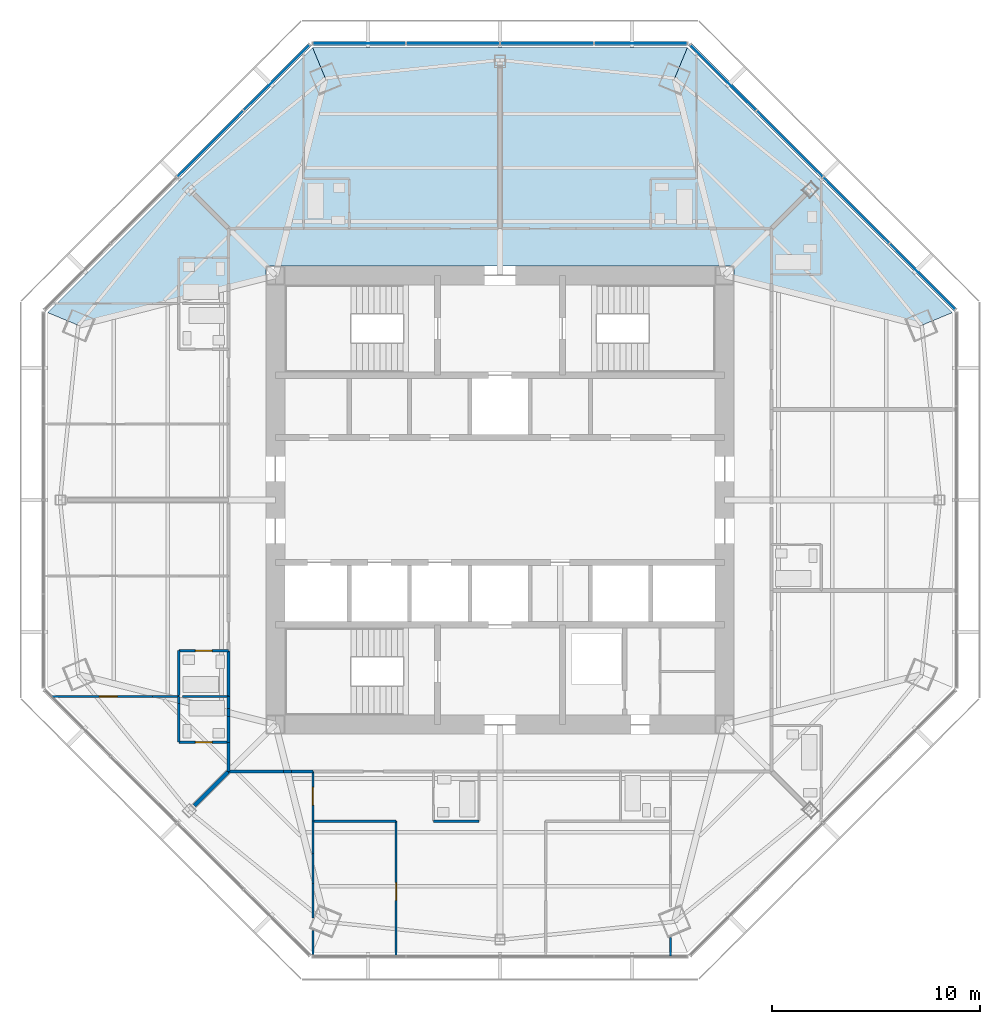
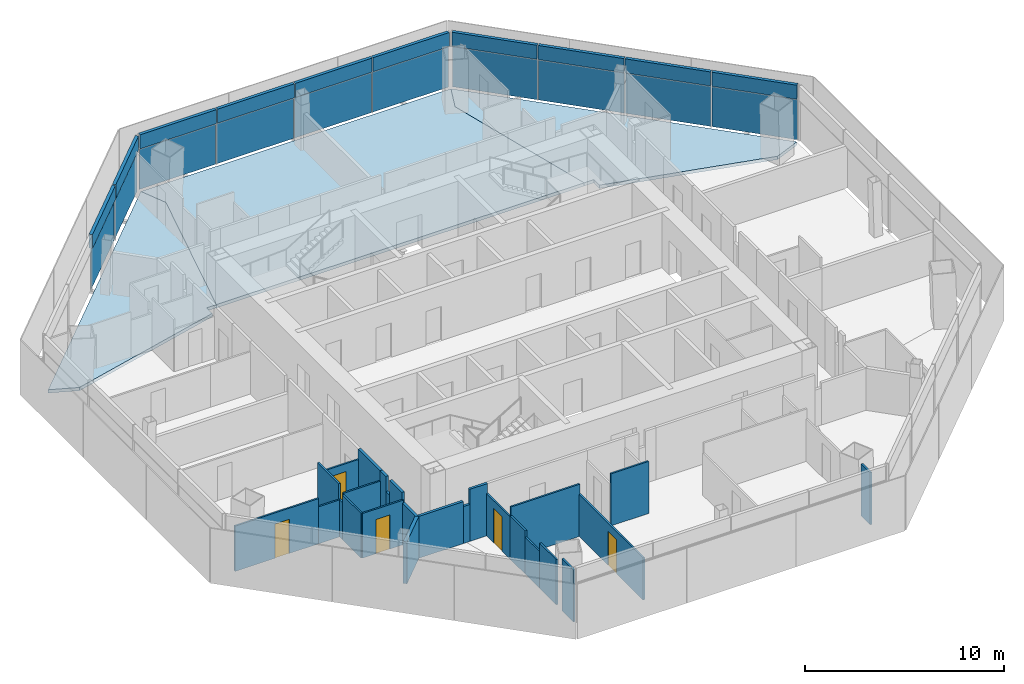
# One storey, part 8 of 15: 26 walls, 20 plates, 5 doors, 3 slabs, 5 openings, 3 elements without a shape of their own.
"""IFC4 building model written with IfcOpenShell, lengths in metres."""

from ifc_helpers import new_model, si_unit, direction, frame, frame_2d, origin, origin_2d, place, context, subcontext, project, spatial, polyline, rectangle, outline, extrude, source, transform, mapped, material, layer, layer_set, type_object, type_shapes, element, fill, aggregate, save


model = new_model("IFC4")

# Units and contexts
model_context = context("Model", 3, precision=1e-05, world=origin(), true_north=direction((0.0, 1.0)))
body_context = subcontext(model_context, "Body", "Model", "MODEL_VIEW")
ifc_project = project(units=[si_unit("LENGTHUNIT", "METRE"), si_unit("AREAUNIT", "SQUARE_METRE"), si_unit("VOLUMEUNIT", "CUBIC_METRE"), si_unit("PLANEANGLEUNIT", "RADIAN"), si_unit("MASSUNIT", "GRAM", prefix="KILO")], contexts=[model_context])

# Site, building, storey
site_placement = place(None, origin())
site = spatial("IfcSite", under=ifc_project, at=site_placement, CompositionType="ELEMENT")
building_placement = place(site_placement, origin())
building = spatial("IfcBuilding", under=site, at=building_placement, Name="Mashrafa Tower", CompositionType="ELEMENT")
storey_placement = place(building_placement, frame((0.0, 0.0, 214.199951171875)))
storey = spatial("IfcBuildingStorey", under=building, at=storey_placement, Name="L49", CompositionType="ELEMENT", Elevation=214.199951171875)

# Slabs
ifc_material_1 = material(Name="Concrete C35/45", Category="concrete")
ifc_layer_1 = layer(ifc_material_1, 0.199951171875)
ifc_layer_set_1 = layer_set([ifc_layer_1], Name="Floor slab 200")
slab_type = type_object("IfcSlabType", Name="Floor slab 200", PredefinedType="FLOOR", material=ifc_layer_set_1)
slab_1_placement = place(storey_placement, frame((0.0, 0.0, -0.199951171875)))
element("IfcSlab", 1, at=slab_1_placement, inside=storey, type_object=slab_type, Name="Floor slab L49 north-east bay", PredefinedType="FLOOR", context=body_context, shape_type="SweptSolid", body=[
    extrude(outline(polyline([(9.01123046875, 21.75537109375), (21.75537109375, 9.01123046875), (21.75537109375, 9.01123046875), (20.28271484375, 8.4013671875), (11.25, 10.686279296875), (11.25, 11.25), (10.686279296875, 11.25), (8.4013671875, 20.28271484375), (9.01123046875, 21.75537109375), (9.01123046875, 21.75537109375)])), origin(), (0.0, 0.0, 1.0), 0.199951171875),
])
slab_2_placement = place(storey_placement, frame((0.0, 0.0, -0.199951171875)))
element("IfcSlab", 2, at=slab_2_placement, inside=storey, type_object=slab_type, Name="Floor slab L49 north bay", PredefinedType="FLOOR", context=body_context, shape_type="SweptSolid", body=[
    extrude(outline(polyline([(9.01123046875, 21.75537109375), (8.4013671875, 20.28271484375), (10.686279296875, 11.25), (-10.686279296875, 11.25), (-8.4013671875, 20.28271484375), (-9.01123046875, 21.75537109375), (9.01123046875, 21.75537109375)])), origin(), (0.0, 0.0, 1.0), 0.199951171875),
])
slab_3_placement = place(storey_placement, frame((0.0, 0.0, -0.199951171875)))
element("IfcSlab", 3, at=slab_3_placement, inside=storey, type_object=slab_type, Name="Floor slab L49 north-west bay", PredefinedType="FLOOR", context=body_context, shape_type="SweptSolid", body=[
    extrude(outline(polyline([(-21.75537109375, 9.01123046875), (-9.01123046875, 21.75537109375), (-9.01123046875, 21.75537109375), (-8.4013671875, 20.28271484375), (-10.686279296875, 11.25), (-11.25, 11.25), (-11.25, 10.686279296875), (-20.28271484375, 8.4013671875), (-21.75537109375, 9.01123046875), (-21.75537109375, 9.01123046875)])), origin(), (0.0, 0.0, 1.0), 0.199951171875),
])

# Curtain wall, plates
ifc_material_2 = material(Name="Unitised aluminium curtain wall", Category="aluminium")
curtain_wall_type = type_object("IfcCurtainWallType", Name="Apartment curtain wall, zone 3 CW-C 180 deep", PredefinedType="NOTDEFINED", material=ifc_material_2)
curtain_wall_1_placement = place(storey_placement, origin())
curtain_wall_1 = element("IfcCurtainWall", 4, at=curtain_wall_1_placement, inside=storey, type_object=curtain_wall_type, Name="Apartment curtain wall, zone 3 L49 north-east", PredefinedType="NOTDEFINED")
ifc_material_3 = material(Name="Insulated double glazing, acoustic", Category="glass")
ifc_layer_2 = layer(ifc_material_3, 0.028076171875)
ifc_layer_set_2 = layer_set([ifc_layer_2], Name="Vision panel CW-C 28")
plate_type_1 = type_object("IfcPlateType", Name="Vision panel CW-C 28", PredefinedType="CURTAIN_PANEL", material=ifc_layer_set_2)
shared_shape_1 = source(origin(), body_context, "Body", "SweptSolid", [
    extrude(rectangle(XDim=4.433349609375, YDim=0.028076171875, at=origin_2d()), origin(), (0.0, 0.0, 1.0), 2.46240234375),
])
plate_1_placement = place(storey_placement, frame((20.31201171875, 10.737548828125, 0.0), z_axis=(0.0, 0.0, 1.0), x_axis=(-0.707106781187, 0.707106781187, 0.0)))
plate_1 = element("IfcPlate", 5, at=plate_1_placement, type_object=plate_type_1, Name="CW-C vision panel 1", PredefinedType="CURTAIN_PANEL", context=body_context, shape_type="MappedRepresentation", body=[
    mapped(shared_shape_1, transform((0.0, 0.0, 0.0))),
])
plate_2_placement = place(storey_placement, frame((10.737548828125, 20.31201171875, 0.0), z_axis=(0.0, 0.0, 1.0), x_axis=(-0.707106781187, 0.707106781187, 0.0)))
plate_2 = element("IfcPlate", 6, at=plate_2_placement, type_object=plate_type_1, Name="CW-C vision panel 4", PredefinedType="CURTAIN_PANEL", context=body_context, shape_type="MappedRepresentation", body=[
    mapped(shared_shape_1, transform((0.0, 0.0, 0.0))),
])

curtain_wall_2_placement = place(storey_placement, origin())
curtain_wall_2 = element("IfcCurtainWall", 7, at=curtain_wall_2_placement, inside=storey, type_object=curtain_wall_type, Name="Apartment curtain wall, zone 3 L49 north", PredefinedType="NOTDEFINED")
plate_3_placement = place(storey_placement, frame((6.770263671875, 21.955322265625, 0.0), z_axis=(0.0, 0.0, 1.0), x_axis=(-1.0, 0.0, 0.0)))
plate_3 = element("IfcPlate", 8, at=plate_3_placement, type_object=plate_type_1, Name="CW-C vision panel 1", PredefinedType="CURTAIN_PANEL", context=body_context, shape_type="MappedRepresentation", body=[
    mapped(shared_shape_1, transform((0.0, 0.0, 0.0))),
])
plate_4_placement = place(storey_placement, frame((-6.770263671875, 21.955322265625, 0.0), z_axis=(0.0, 0.0, 1.0), x_axis=(-1.0, 0.0, 0.0)))
plate_4 = element("IfcPlate", 9, at=plate_4_placement, type_object=plate_type_1, Name="CW-C vision panel 4", PredefinedType="CURTAIN_PANEL", context=body_context, shape_type="MappedRepresentation", body=[
    mapped(shared_shape_1, transform((0.0, 0.0, 0.0))),
])

# Curtain wall, plate
curtain_wall_3_placement = place(storey_placement, origin())
curtain_wall_3 = element("IfcCurtainWall", 10, at=curtain_wall_3_placement, inside=storey, type_object=curtain_wall_type, Name="Apartment curtain wall, zone 3 L49 north-west", PredefinedType="NOTDEFINED")
plate_5_placement = place(storey_placement, frame((-10.737548828125, 20.31201171875, 0.0), z_axis=(0.0, 0.0, 1.0), x_axis=(-0.707106781187, -0.707106781187, 0.0)))
plate_5 = element("IfcPlate", 11, at=plate_5_placement, type_object=plate_type_1, Name="CW-C vision panel 1", PredefinedType="CURTAIN_PANEL", context=body_context, shape_type="MappedRepresentation", body=[
    mapped(shared_shape_1, transform((0.0, 0.0, 0.0))),
])

# Plate
ifc_material_4 = material(Name="Insulated bronze aluminium spandrel panel", Category="aluminium")
ifc_layer_3 = layer(ifc_material_4, 0.179931640625)
ifc_layer_set_3 = layer_set([ifc_layer_3], Name="Spandrel panel CW-C 180")
plate_type_2 = type_object("IfcPlateType", Name="Spandrel panel CW-C 180", PredefinedType="CURTAIN_PANEL", material=ifc_layer_set_3)
shared_shape_2 = source(origin(), body_context, "Body", "SweptSolid", [
    extrude(rectangle(XDim=4.433349609375, YDim=0.179931640625, at=origin_2d()), origin(), (0.0, 0.0, 1.0), 0.862548828125),
])
plate_6_placement = place(storey_placement, frame((20.31201171875, 10.737548828125, 2.53759765625), z_axis=(0.0, 0.0, 1.0), x_axis=(-0.707106781187, 0.707106781187, 0.0)))
plate_6 = element("IfcPlate", 12, at=plate_6_placement, type_object=plate_type_2, Name="CW-C spandrel panel 1", PredefinedType="CURTAIN_PANEL", context=body_context, shape_type="MappedRepresentation", body=[
    mapped(shared_shape_2, transform((0.0, 0.0, 0.0))),
])

plate_7_placement = place(storey_placement, frame((10.737548828125, 20.31201171875, 2.53759765625), z_axis=(0.0, 0.0, 1.0), x_axis=(-0.707106781187, 0.707106781187, 0.0)))
plate_7 = element("IfcPlate", 13, at=plate_7_placement, type_object=plate_type_2, Name="CW-C spandrel panel 4", PredefinedType="CURTAIN_PANEL", context=body_context, shape_type="MappedRepresentation", body=[
    mapped(shared_shape_2, transform((0.0, 0.0, 0.0))),
])

plate_8_placement = place(storey_placement, frame((6.770263671875, 21.955322265625, 2.53759765625), z_axis=(0.0, 0.0, 1.0), x_axis=(-1.0, 0.0, 0.0)))
plate_8 = element("IfcPlate", 14, at=plate_8_placement, type_object=plate_type_2, Name="CW-C spandrel panel 1", PredefinedType="CURTAIN_PANEL", context=body_context, shape_type="MappedRepresentation", body=[
    mapped(shared_shape_2, transform((0.0, 0.0, 0.0))),
])

plate_9_placement = place(storey_placement, frame((-6.770263671875, 21.955322265625, 2.53759765625), z_axis=(0.0, 0.0, 1.0), x_axis=(-1.0, 0.0, 0.0)))
plate_9 = element("IfcPlate", 15, at=plate_9_placement, type_object=plate_type_2, Name="CW-C spandrel panel 4", PredefinedType="CURTAIN_PANEL", context=body_context, shape_type="MappedRepresentation", body=[
    mapped(shared_shape_2, transform((0.0, 0.0, 0.0))),
])

plate_10_placement = place(storey_placement, frame((-10.737548828125, 20.31201171875, 2.53759765625), z_axis=(0.0, 0.0, 1.0), x_axis=(-0.707106781187, -0.707106781187, 0.0)))
plate_10 = element("IfcPlate", 16, at=plate_10_placement, type_object=plate_type_2, Name="CW-C spandrel panel 1", PredefinedType="CURTAIN_PANEL", context=body_context, shape_type="MappedRepresentation", body=[
    mapped(shared_shape_2, transform((0.0, 0.0, 0.0))),
])

shared_shape_3 = source(origin(), body_context, "Body", "SweptSolid", [
    extrude(rectangle(XDim=4.46337890625, YDim=0.028076171875, at=origin_2d()), origin(), (0.0, 0.0, 1.0), 2.46240234375),
])
type_shapes(plate_type_1, [shared_shape_1, shared_shape_3])
plate_11_placement = place(storey_placement, frame((17.1240234375, 13.925537109375, 0.0), z_axis=(0.0, 0.0, 1.0), x_axis=(-0.707106781187, 0.707106781187, 0.0)))
plate_11 = element("IfcPlate", 17, at=plate_11_placement, type_object=plate_type_1, Name="CW-C vision panel 2", PredefinedType="CURTAIN_PANEL", context=body_context, shape_type="MappedRepresentation", body=[
    mapped(shared_shape_3, transform((0.0, 0.0, 0.0))),
])

plate_12_placement = place(storey_placement, frame((13.925537109375, 17.1240234375, 0.0), z_axis=(0.0, 0.0, 1.0), x_axis=(-0.707106781187, 0.707106781187, 0.0)))
plate_12 = element("IfcPlate", 18, at=plate_12_placement, type_object=plate_type_1, Name="CW-C vision panel 3", PredefinedType="CURTAIN_PANEL", context=body_context, shape_type="MappedRepresentation", body=[
    mapped(shared_shape_3, transform((0.0, 0.0, 0.0))),
])

plate_13_placement = place(storey_placement, frame((2.26171875, 21.955322265625, 0.0), z_axis=(0.0, 0.0, 1.0), x_axis=(-1.0, 0.0, 0.0)))
plate_13 = element("IfcPlate", 19, at=plate_13_placement, type_object=plate_type_1, Name="CW-C vision panel 2", PredefinedType="CURTAIN_PANEL", context=body_context, shape_type="MappedRepresentation", body=[
    mapped(shared_shape_3, transform((0.0, 0.0, 0.0))),
])

plate_14_placement = place(storey_placement, frame((-2.26171875, 21.955322265625, 0.0), z_axis=(0.0, 0.0, 1.0), x_axis=(-1.0, 0.0, 0.0)))
plate_14 = element("IfcPlate", 20, at=plate_14_placement, type_object=plate_type_1, Name="CW-C vision panel 3", PredefinedType="CURTAIN_PANEL", context=body_context, shape_type="MappedRepresentation", body=[
    mapped(shared_shape_3, transform((0.0, 0.0, 0.0))),
])

plate_15_placement = place(storey_placement, frame((-13.925537109375, 17.1240234375, 0.0), z_axis=(0.0, 0.0, 1.0), x_axis=(-0.707106781187, -0.707106781187, 0.0)))
plate_15 = element("IfcPlate", 21, at=plate_15_placement, type_object=plate_type_1, Name="CW-C vision panel 2", PredefinedType="CURTAIN_PANEL", context=body_context, shape_type="MappedRepresentation", body=[
    mapped(shared_shape_3, transform((0.0, 0.0, 0.0))),
])

shared_shape_4 = source(origin(), body_context, "Body", "SweptSolid", [
    extrude(rectangle(XDim=4.46337890625, YDim=0.179931640625, at=origin_2d()), origin(), (0.0, 0.0, 1.0), 0.862548828125),
])
type_shapes(plate_type_2, [shared_shape_2, shared_shape_4])
plate_16_placement = place(storey_placement, frame((17.1240234375, 13.925537109375, 2.53759765625), z_axis=(0.0, 0.0, 1.0), x_axis=(-0.707106781187, 0.707106781187, 0.0)))
plate_16 = element("IfcPlate", 22, at=plate_16_placement, type_object=plate_type_2, Name="CW-C spandrel panel 2", PredefinedType="CURTAIN_PANEL", context=body_context, shape_type="MappedRepresentation", body=[
    mapped(shared_shape_4, transform((0.0, 0.0, 0.0))),
])

plate_17_placement = place(storey_placement, frame((13.925537109375, 17.1240234375, 2.53759765625), z_axis=(0.0, 0.0, 1.0), x_axis=(-0.707106781187, 0.707106781187, 0.0)))
plate_17 = element("IfcPlate", 23, at=plate_17_placement, type_object=plate_type_2, Name="CW-C spandrel panel 3", PredefinedType="CURTAIN_PANEL", context=body_context, shape_type="MappedRepresentation", body=[
    mapped(shared_shape_4, transform((0.0, 0.0, 0.0))),
])

aggregate(curtain_wall_1, [plate_1, plate_6, plate_11, plate_16, plate_12, plate_17, plate_2, plate_7])

plate_18_placement = place(storey_placement, frame((2.26171875, 21.955322265625, 2.53759765625), z_axis=(0.0, 0.0, 1.0), x_axis=(-1.0, 0.0, 0.0)))
plate_18 = element("IfcPlate", 24, at=plate_18_placement, type_object=plate_type_2, Name="CW-C spandrel panel 2", PredefinedType="CURTAIN_PANEL", context=body_context, shape_type="MappedRepresentation", body=[
    mapped(shared_shape_4, transform((0.0, 0.0, 0.0))),
])

plate_19_placement = place(storey_placement, frame((-2.26171875, 21.955322265625, 2.53759765625), z_axis=(0.0, 0.0, 1.0), x_axis=(-1.0, 0.0, 0.0)))
plate_19 = element("IfcPlate", 25, at=plate_19_placement, type_object=plate_type_2, Name="CW-C spandrel panel 3", PredefinedType="CURTAIN_PANEL", context=body_context, shape_type="MappedRepresentation", body=[
    mapped(shared_shape_4, transform((0.0, 0.0, 0.0))),
])

aggregate(curtain_wall_2, [plate_3, plate_8, plate_13, plate_18, plate_14, plate_19, plate_4, plate_9])

plate_20_placement = place(storey_placement, frame((-13.925537109375, 17.1240234375, 2.53759765625), z_axis=(0.0, 0.0, 1.0), x_axis=(-0.707106781187, -0.707106781187, 0.0)))
plate_20 = element("IfcPlate", 26, at=plate_20_placement, type_object=plate_type_2, Name="CW-C spandrel panel 2", PredefinedType="CURTAIN_PANEL", context=body_context, shape_type="MappedRepresentation", body=[
    mapped(shared_shape_4, transform((0.0, 0.0, 0.0))),
])

aggregate(curtain_wall_3, [plate_5, plate_10, plate_15, plate_20])

# Walls
ifc_material_5 = material(Name="Gypsum board on steel studs", Category="steel")
ifc_layer_4 = layer(ifc_material_5, 0.199951171875)
ifc_layer_set_4 = layer_set([ifc_layer_4], Name="Acoustic partition 200 1 hr")
wall_type_1 = type_object("IfcWallType", Name="Acoustic partition 200 1 hr", PredefinedType="PARTITIONING", material=ifc_layer_set_4)
wall_1_placement = place(storey_placement, frame((-14.70068359375, -14.70068359375, 0.0), z_axis=(0.0, 0.0, 1.0), x_axis=(0.707106781187, 0.707106781187, 0.0)))
element("IfcWall", 27, at=wall_1_placement, inside=storey, type_object=wall_type_1, Name="Acoustic wall L49-101", PredefinedType="PARTITIONING", context=body_context, shape_type="SweptSolid", body=[
    extrude(rectangle(XDim=2.334228515625, YDim=0.199951171875, at=frame_2d((1.1669921875, 0.0))), origin(), (0.0, 0.0, 1.0), 2.577880859375),
])
ifc_material_6 = material(Name="Gypsum board on steel studs", Category="steel")
ifc_layer_5 = layer(ifc_material_6, 0.14990234375)
ifc_layer_set_5 = layer_set([ifc_layer_5], Name="Corridor partition 150 1 hr")
wall_type_2 = type_object("IfcWallType", Name="Corridor partition 150 1 hr", PredefinedType="PARTITIONING", material=ifc_layer_set_5)
wall_2_placement = place(storey_placement, frame((-13.050048828125, -9.448974609375, 0.0), z_axis=(0.0, 0.0, 1.0), x_axis=(0.0, -1.0, 0.0)))
element("IfcWall", 28, at=wall_2_placement, inside=storey, type_object=wall_type_2, Name="Corridor wall L49-040", PredefinedType="PARTITIONING", context=body_context, shape_type="SweptSolid", body=[
    extrude(rectangle(XDim=0.578125, YDim=0.14990234375, at=frame_2d((0.2890625, 0.0))), origin(), (0.0, 0.0, 1.0), 3.199951171875),
])
wall_3_placement = place(storey_placement, frame((-13.050048828125, -10.404052734375, 0.0), z_axis=(0.0, 0.0, 1.0), x_axis=(0.0, -1.0, 0.0)))
element("IfcWall", 29, at=wall_3_placement, inside=storey, type_object=wall_type_2, Name="Corridor wall L49-041", PredefinedType="PARTITIONING", context=body_context, shape_type="SweptSolid", body=[
    extrude(rectangle(XDim=1.246826171875, YDim=0.14990234375, at=frame_2d((0.62353515625, 0.0))), origin(), (0.0, 0.0, 1.0), 3.199951171875),
])
wall_4_placement = place(storey_placement, frame((-13.050048828125, -10.027099609375, 0.0), z_axis=(0.0, 0.0, 1.0), x_axis=(0.0, -1.0, 0.0)))
element("IfcWall", 30, at=wall_4_placement, inside=storey, type_object=wall_type_2, Name="Corridor wall L49-042", PredefinedType="PARTITIONING", context=body_context, shape_type="SweptSolid", body=[
    extrude(rectangle(XDim=0.376953125, YDim=0.14990234375, at=frame_2d((0.1884765625, 0.0))), origin(), (0.0, 0.0, 1.0), 2.26806640625),
])
wall_5_placement = place(storey_placement, frame((-13.050048828125, -11.64892578125, 0.0), z_axis=(0.0, 0.0, 1.0), x_axis=(0.0, -1.0, 0.0)))
element("IfcWall", 31, at=wall_5_placement, inside=storey, type_object=wall_type_2, Name="Corridor wall L49-043", PredefinedType="PARTITIONING", context=body_context, shape_type="SweptSolid", body=[
    extrude(rectangle(XDim=1.401123046875, YDim=0.14990234375, at=frame_2d((0.70068359375, 0.0))), origin(), (0.0, 0.0, 1.0), 2.577880859375),
])
wall_6_placement = place(storey_placement, frame((-13.050048828125, -7.2490234375, 0.0), z_axis=(0.0, 0.0, 1.0), x_axis=(0.0, -1.0, 0.0)))
element("IfcWall", 32, at=wall_6_placement, inside=storey, type_object=wall_type_2, Name="Corridor wall L49-044", PredefinedType="PARTITIONING", context=body_context, shape_type="SweptSolid", body=[
    extrude(rectangle(XDim=2.201904296875, YDim=0.14990234375, at=frame_2d((1.10107421875, 0.0))), origin(), (0.0, 0.0, 1.0), 3.199951171875),
])
wall_7_placement = place(storey_placement, frame((-13.050048828125, -13.050048828125, 0.0), z_axis=(0.0, 0.0, 1.0), x_axis=(1.0, 0.0, 0.0)))
element("IfcWall", 33, at=wall_7_placement, inside=storey, type_object=wall_type_2, Name="Corridor wall L49-048", PredefinedType="PARTITIONING", context=body_context, shape_type="SweptSolid", body=[
    extrude(rectangle(XDim=2.64599609375, YDim=0.14990234375, at=frame_2d((1.322998046875, 0.0))), origin(), (0.0, 0.0, 1.0), 2.577880859375),
])
wall_8_placement = place(storey_placement, frame((-10.027099609375, -13.050048828125, 0.0), z_axis=(0.0, 0.0, 1.0), x_axis=(1.0, 0.0, 0.0)))
element("IfcWall", 34, at=wall_8_placement, inside=storey, type_object=wall_type_2, Name="Corridor wall L49-049", PredefinedType="PARTITIONING", context=body_context, shape_type="SweptSolid", body=[
    extrude(rectangle(XDim=1.028076171875, YDim=0.14990234375, at=frame_2d((0.51416015625, 0.0))), origin(), (0.0, 0.0, 1.0), 3.199951171875),
])
wall_9_placement = place(storey_placement, frame((-10.404052734375, -13.050048828125, 0.0), z_axis=(0.0, 0.0, 1.0), x_axis=(1.0, 0.0, 0.0)))
element("IfcWall", 35, at=wall_9_placement, inside=storey, type_object=wall_type_2, Name="Corridor wall L49-050", PredefinedType="PARTITIONING", context=body_context, shape_type="SweptSolid", body=[
    extrude(rectangle(XDim=0.376953125, YDim=0.14990234375, at=frame_2d((0.1884765625, 0.0))), origin(), (0.0, 0.0, 1.0), 2.26806640625),
])
ifc_material_7 = material(Name="Gypsum board on steel studs", Category="steel")
ifc_layer_6 = layer(ifc_material_7, 0.10009765625)
ifc_layer_set_6 = layer_set([ifc_layer_6], Name="Partition 100")
wall_type_3 = type_object("IfcWallType", Name="Partition 100", PredefinedType="PARTITIONING", material=ifc_layer_set_6)
wall_10_placement = place(storey_placement, frame((-15.449951171875, -9.780517578125, 0.0), z_axis=(0.0, 0.0, 1.0), x_axis=(0.0, -1.0, 0.0)))
element("IfcWall", 36, at=wall_10_placement, inside=storey, type_object=wall_type_3, Name="Partition wall L49-095", PredefinedType="PARTITIONING", context=body_context, shape_type="SweptSolid", body=[
    extrude(rectangle(XDim=1.869384765625, YDim=0.10009765625, at=frame_2d((0.9345703125, 0.0))), origin(), (0.0, 0.0, 1.0), 2.740478515625),
])
wall_11_placement = place(storey_placement, frame((-15.449951171875, -9.449951171875, 0.0), z_axis=(0.0, 0.0, 1.0), x_axis=(0.0, -1.0, 0.0)))
element("IfcWall", 37, at=wall_11_placement, inside=storey, type_object=wall_type_3, Name="Partition wall L49-096", PredefinedType="PARTITIONING", context=body_context, shape_type="SweptSolid", body=[
    extrude(rectangle(XDim=0.33056640625, YDim=0.10009765625, at=frame_2d((0.165283203125, 0.0))), origin(), (0.0, 0.0, 1.0), 2.26806640625),
])

# Wall, opening, door
wall_12_placement = place(storey_placement, frame((-15.449951171875, -11.64990234375, 0.0), z_axis=(0.0, 0.0, 1.0), x_axis=(1.0, 0.0, 0.0)))
wall_12 = element("IfcWall", 38, at=wall_12_placement, inside=storey, type_object=wall_type_3, Name="Partition wall L49-097", PredefinedType="PARTITIONING", context=body_context, shape_type="SweptSolid", body=[
    extrude(rectangle(XDim=2.39990234375, YDim=0.10009765625, at=frame_2d((1.199951171875, 0.0))), origin(), (0.0, 0.0, 1.0), 2.740478515625),
])
opening_1_placement = place(wall_12_placement, frame((0.800048828125, 0.0, 0.0)))
opening_1 = element("IfcOpeningElement", 39, at=opening_1_placement, cuts=wall_12, Name="Opening 49.018", PredefinedType="OPENING", context=body_context, shape_type="SweptSolid", body=[
    extrude(rectangle(XDim=0.800048828125, YDim=2.10009765625, at=frame_2d((0.39990234375, 1.050048828125))), frame((0.0, 0.06005859375, 0.0), z_axis=(0.0, -1.0, 0.0), x_axis=(1.0, 0.0, 0.0)), (0.0, 0.0, 1.0), 0.1201171875),
])
ifc_material_8 = material(Name="Timber door", Category="wood")
door_type_1 = type_object("IfcDoorType", Name="Bathroom door 800 x 2100", OperationType="USERDEFINED", PredefinedType="DOOR", material=ifc_material_8)
door_1_placement = place(opening_1_placement, origin())
door_1 = element("IfcDoor", 40, at=door_1_placement, inside=storey, type_object=door_type_1, Name="Apartment 4907 En-suite Bathroom door", OperationType="SINGLE_SWING_RIGHT", OverallHeight=2.10009765625, OverallWidth=0.800048828125, PredefinedType="DOOR", context=body_context, shape_type="SweptSolid", body=[
    extrude(rectangle(XDim=0.800048828125, YDim=2.10009765625, at=frame_2d((0.39990234375, 1.050048828125))), frame((0.0, 0.02490234375, 0.0), z_axis=(0.0, -1.0, 0.0), x_axis=(1.0, 0.0, 0.0)), (0.0, 0.0, 1.0), 0.050048828125),
])
fill(opening_1, door_1)

# Wall
wall_13_placement = place(storey_placement, frame((-13.050048828125, -9.449951171875, 0.0), z_axis=(0.0, 0.0, 1.0), x_axis=(-1.0, 0.0, 0.0)))
element("IfcWall", 41, at=wall_13_placement, inside=storey, type_object=wall_type_3, Name="Partition wall L49-098", PredefinedType="PARTITIONING", context=body_context, shape_type="SweptSolid", body=[
    extrude(rectangle(XDim=2.221435546875, YDim=0.10009765625, at=frame_2d((1.11083984375, 0.0))), origin(), (0.0, 0.0, 1.0), 2.590576171875),
])

# Wall, opening, door
wall_14_placement = place(storey_placement, frame((-16.722412109375, -9.449951171875, 0.0), z_axis=(0.0, 0.0, 1.0), x_axis=(-1.0, 0.0, 0.0)))
wall_14 = element("IfcWall", 42, at=wall_14_placement, inside=storey, type_object=wall_type_3, Name="Partition wall L49-099", PredefinedType="PARTITIONING", context=body_context, shape_type="SweptSolid", body=[
    extrude(rectangle(XDim=4.855224609375, YDim=0.10009765625, at=frame_2d((2.427734375, 0.0))), origin(), (0.0, 0.0, 1.0), 2.78369140625),
])
opening_2_placement = place(wall_14_placement, frame((1.6953125, 0.0, 0.0)))
opening_2 = element("IfcOpeningElement", 43, at=opening_2_placement, cuts=wall_14, Name="Opening 49.019", PredefinedType="OPENING", context=body_context, shape_type="SweptSolid", body=[
    extrude(rectangle(XDim=0.85009765625, YDim=2.10009765625, at=frame_2d((0.425048828125, 1.050048828125))), frame((0.0, 0.06005859375, 0.0), z_axis=(0.0, -1.0, 0.0), x_axis=(1.0, 0.0, 0.0)), (0.0, 0.0, 1.0), 0.1201171875),
])
ifc_material_9 = material(Name="Timber door", Category="wood")
door_type_2 = type_object("IfcDoorType", Name="Bedroom door 850 x 2100", OperationType="USERDEFINED", PredefinedType="DOOR", material=ifc_material_9)
door_2_placement = place(opening_2_placement, origin())
door_2 = element("IfcDoor", 44, at=door_2_placement, inside=storey, type_object=door_type_2, Name="Apartment 4907 Bedroom 1 door", OperationType="SINGLE_SWING_RIGHT", OverallHeight=2.10009765625, OverallWidth=0.85009765625, PredefinedType="DOOR", context=body_context, shape_type="SweptSolid", body=[
    extrude(rectangle(XDim=0.85009765625, YDim=2.10009765625, at=frame_2d((0.425048828125, 1.050048828125))), frame((0.0, 0.02490234375, 0.0), z_axis=(0.0, -1.0, 0.0), x_axis=(1.0, 0.0, 0.0)), (0.0, 0.0, 1.0), 0.050048828125),
])
fill(opening_2, door_2)

# Wall
wall_15_placement = place(storey_placement, frame((-15.449951171875, -9.449951171875, 0.0), z_axis=(0.0, 0.0, 1.0), x_axis=(-1.0, 0.0, 0.0)))
element("IfcWall", 45, at=wall_15_placement, inside=storey, type_object=wall_type_3, Name="Partition wall L49-100", PredefinedType="PARTITIONING", context=body_context, shape_type="SweptSolid", body=[
    extrude(rectangle(XDim=1.2724609375, YDim=0.10009765625, at=frame_2d((0.63623046875, 0.0))), origin(), (0.0, 0.0, 1.0), 2.26806640625),
])

# Wall, opening, door
wall_16_placement = place(storey_placement, frame((-13.050048828125, -7.25, 0.0), z_axis=(0.0, 0.0, 1.0), x_axis=(-1.0, 0.0, 0.0)))
wall_16 = element("IfcWall", 46, at=wall_16_placement, inside=storey, type_object=wall_type_3, Name="Partition wall L49-102", PredefinedType="PARTITIONING", context=body_context, shape_type="SweptSolid", body=[
    extrude(rectangle(XDim=2.39990234375, YDim=0.10009765625, at=frame_2d((1.199951171875, 0.0))), origin(), (0.0, 0.0, 1.0), 2.590576171875),
])
opening_3_placement = place(wall_16_placement, frame((0.800048828125, 0.0, 0.0)))
opening_3 = element("IfcOpeningElement", 47, at=opening_3_placement, cuts=wall_16, Name="Opening 49.020", PredefinedType="OPENING", context=body_context, shape_type="SweptSolid", body=[
    extrude(rectangle(XDim=0.800048828125, YDim=2.10009765625, at=frame_2d((0.39990234375, 1.050048828125))), frame((0.0, 0.06005859375, 0.0), z_axis=(0.0, -1.0, 0.0), x_axis=(1.0, 0.0, 0.0)), (0.0, 0.0, 1.0), 0.1201171875),
])
door_3_placement = place(opening_3_placement, origin())
door_3 = element("IfcDoor", 48, at=door_3_placement, inside=storey, type_object=door_type_1, Name="Apartment 4907 Bathroom door", OperationType="SINGLE_SWING_LEFT", OverallHeight=2.10009765625, OverallWidth=0.800048828125, PredefinedType="DOOR", context=body_context, shape_type="SweptSolid", body=[
    extrude(rectangle(XDim=0.800048828125, YDim=2.10009765625, at=frame_2d((0.39990234375, 1.050048828125))), frame((0.0, 0.02490234375, 0.0), z_axis=(0.0, -1.0, 0.0), x_axis=(1.0, 0.0, 0.0)), (0.0, 0.0, 1.0), 0.050048828125),
])
fill(opening_3, door_3)

# Walls
wall_17_placement = place(storey_placement, frame((-15.449951171875, -7.25, 0.0), z_axis=(0.0, 0.0, 1.0), x_axis=(0.0, -1.0, 0.0)))
element("IfcWall", 49, at=wall_17_placement, inside=storey, type_object=wall_type_3, Name="Partition wall L49-103", PredefinedType="PARTITIONING", context=body_context, shape_type="SweptSolid", body=[
    extrude(rectangle(XDim=2.153564453125, YDim=0.10009765625, at=frame_2d((1.07666015625, 0.0))), origin(), (0.0, 0.0, 1.0), 3.199951171875),
])
wall_18_placement = place(storey_placement, frame((-9.0, -21.8603515625, 0.0), z_axis=(0.0, 0.0, 1.0), x_axis=(0.0, 1.0, 0.0)))
element("IfcWall", 50, at=wall_18_placement, inside=storey, type_object=wall_type_3, Name="Partition wall L49-106", PredefinedType="PARTITIONING", context=body_context, shape_type="SweptSolid", body=[
    extrude(rectangle(XDim=1.161865234375, YDim=0.10009765625, at=frame_2d((0.5810546875, 0.0))), origin(), (0.0, 0.0, 1.0), 3.199951171875),
])
wall_19_placement = place(storey_placement, frame((-9.0, -20.1103515625, 0.0), z_axis=(0.0, 0.0, 1.0), x_axis=(0.0, 1.0, 0.0)))
element("IfcWall", 51, at=wall_19_placement, inside=storey, type_object=wall_type_3, Name="Partition wall L49-107", PredefinedType="PARTITIONING", context=body_context, shape_type="SweptSolid", body=[
    extrude(rectangle(XDim=1.65576171875, YDim=0.10009765625, at=frame_2d((0.827880859375, 0.0))), origin(), (0.0, 0.0, 1.0), 2.78369140625),
])
wall_20_placement = place(storey_placement, frame((-9.0, -17.003662109375, 0.0), z_axis=(0.0, 0.0, 1.0), x_axis=(0.0, 1.0, 0.0)))
element("IfcWall", 52, at=wall_20_placement, inside=storey, type_object=wall_type_3, Name="Partition wall L49-108", PredefinedType="PARTITIONING", context=body_context, shape_type="SweptSolid", body=[
    extrude(rectangle(XDim=1.5546875, YDim=0.10009765625, at=frame_2d((0.77734375, 0.0))), origin(), (0.0, 0.0, 1.0), 2.664306640625),
])
wall_21_placement = place(storey_placement, frame((-9.0, -18.45458984375, 0.0), z_axis=(0.0, 0.0, 1.0), x_axis=(0.0, 1.0, 0.0)))
element("IfcWall", 53, at=wall_21_placement, inside=storey, type_object=wall_type_3, Name="Partition wall L49-109", PredefinedType="PARTITIONING", context=body_context, shape_type="SweptSolid", body=[
    extrude(rectangle(XDim=1.450927734375, YDim=0.10009765625, at=frame_2d((0.7255859375, 0.0))), origin(), (0.0, 0.0, 1.0), 2.26806640625),
])

# Wall, opening, door
wall_22_placement = place(storey_placement, frame((-9.0, -15.450927734375, 0.0), z_axis=(0.0, 0.0, 1.0), x_axis=(0.0, 1.0, 0.0)))
wall_22 = element("IfcWall", 54, at=wall_22_placement, inside=storey, type_object=wall_type_3, Name="Partition wall L49-110", PredefinedType="PARTITIONING", context=body_context, shape_type="SweptSolid", body=[
    extrude(rectangle(XDim=2.40087890625, YDim=0.10009765625, at=frame_2d((1.200439453125, 0.0))), origin(), (0.0, 0.0, 1.0), 2.590576171875),
])
opening_4_placement = place(wall_22_placement, frame((0.775390625, 0.0, 0.0)))
opening_4 = element("IfcOpeningElement", 55, at=opening_4_placement, cuts=wall_22, Name="Opening 49.023", PredefinedType="OPENING", context=body_context, shape_type="SweptSolid", body=[
    extrude(rectangle(XDim=0.85009765625, YDim=2.10009765625, at=frame_2d((0.425048828125, 1.050048828125))), frame((0.0, 0.06005859375, 0.0), z_axis=(0.0, -1.0, 0.0), x_axis=(1.0, 0.0, 0.0)), (0.0, 0.0, 1.0), 0.1201171875),
])
door_4_placement = place(opening_4_placement, origin())
door_4 = element("IfcDoor", 56, at=door_4_placement, inside=storey, type_object=door_type_2, Name="Apartment 4908 Bedroom 1 door", OperationType="SINGLE_SWING_RIGHT", OverallHeight=2.10009765625, OverallWidth=0.85009765625, PredefinedType="DOOR", context=body_context, shape_type="SweptSolid", body=[
    extrude(rectangle(XDim=0.85009765625, YDim=2.10009765625, at=frame_2d((0.425048828125, 1.050048828125))), frame((0.0, 0.02490234375, 0.0), z_axis=(0.0, -1.0, 0.0), x_axis=(1.0, 0.0, 0.0)), (0.0, 0.0, 1.0), 0.050048828125),
])
fill(opening_4, door_4)

wall_23_placement = place(storey_placement, frame((-5.0, -21.939208984375, 0.0), z_axis=(0.0, 0.0, 1.0), x_axis=(0.0, 1.0, 0.0)))
wall_23 = element("IfcWall", 57, at=wall_23_placement, inside=storey, type_object=wall_type_3, Name="Partition wall L49-111", PredefinedType="PARTITIONING", context=body_context, shape_type="SweptSolid", body=[
    extrude(rectangle(XDim=6.4892578125, YDim=0.10009765625, at=frame_2d((3.24462890625, 0.0))), origin(), (0.0, 0.0, 1.0), 2.590576171875),
])
opening_5_placement = place(wall_23_placement, frame((2.681640625, 0.0, 0.0)))
opening_5 = element("IfcOpeningElement", 58, at=opening_5_placement, cuts=wall_23, Name="Opening 49.024", PredefinedType="OPENING", context=body_context, shape_type="SweptSolid", body=[
    extrude(rectangle(XDim=0.85009765625, YDim=2.10009765625, at=frame_2d((0.425048828125, 1.050048828125))), frame((0.0, 0.06005859375, 0.0), z_axis=(0.0, -1.0, 0.0), x_axis=(1.0, 0.0, 0.0)), (0.0, 0.0, 1.0), 0.1201171875),
])
door_5_placement = place(opening_5_placement, origin())
door_5 = element("IfcDoor", 59, at=door_5_placement, inside=storey, type_object=door_type_2, Name="Apartment 4908 Bedroom 2 door", OperationType="SINGLE_SWING_LEFT", OverallHeight=2.10009765625, OverallWidth=0.85009765625, PredefinedType="DOOR", context=body_context, shape_type="SweptSolid", body=[
    extrude(rectangle(XDim=0.85009765625, YDim=2.10009765625, at=frame_2d((0.425048828125, 1.050048828125))), frame((0.0, 0.02490234375, 0.0), z_axis=(0.0, -1.0, 0.0), x_axis=(1.0, 0.0, 0.0)), (0.0, 0.0, 1.0), 0.050048828125),
])
fill(opening_5, door_5)

# Walls
wall_24_placement = place(storey_placement, frame((-5.0, -15.449951171875, 0.0), z_axis=(0.0, 0.0, 1.0), x_axis=(-1.0, 0.0, 0.0)))
element("IfcWall", 60, at=wall_24_placement, inside=storey, type_object=wall_type_3, Name="Partition wall L49-112", PredefinedType="PARTITIONING", context=body_context, shape_type="SweptSolid", body=[
    extrude(rectangle(XDim=4.0, YDim=0.10009765625, at=frame_2d((2.0, 0.0))), origin(), (0.0, 0.0, 1.0), 3.199951171875),
])
wall_25_placement = place(storey_placement, frame((-3.199951171875, -15.449951171875, 0.0), z_axis=(0.0, 0.0, 1.0), x_axis=(1.0, 0.0, 0.0)))
element("IfcWall", 61, at=wall_25_placement, inside=storey, type_object=wall_type_3, Name="Partition wall L49-115", PredefinedType="PARTITIONING", context=body_context, shape_type="SweptSolid", body=[
    extrude(rectangle(XDim=2.199951171875, YDim=0.10009765625, at=frame_2d((1.10009765625, 0.0))), origin(), (0.0, 0.0, 1.0), 3.199951171875),
])
wall_26_placement = place(storey_placement, frame((8.199951171875, -21.02978515625, 0.0), z_axis=(0.0, 0.0, 1.0), x_axis=(0.0, -1.0, 0.0)))
element("IfcWall", 62, at=wall_26_placement, inside=storey, type_object=wall_type_3, Name="Partition wall L49-120", PredefinedType="PARTITIONING", context=body_context, shape_type="SweptSolid", body=[
    extrude(rectangle(XDim=0.907470703125, YDim=0.10009765625, at=frame_2d((0.45361328125, 0.0))), origin(), (0.0, 0.0, 1.0), 3.199951171875),
])

save(model, "model.ifc")
